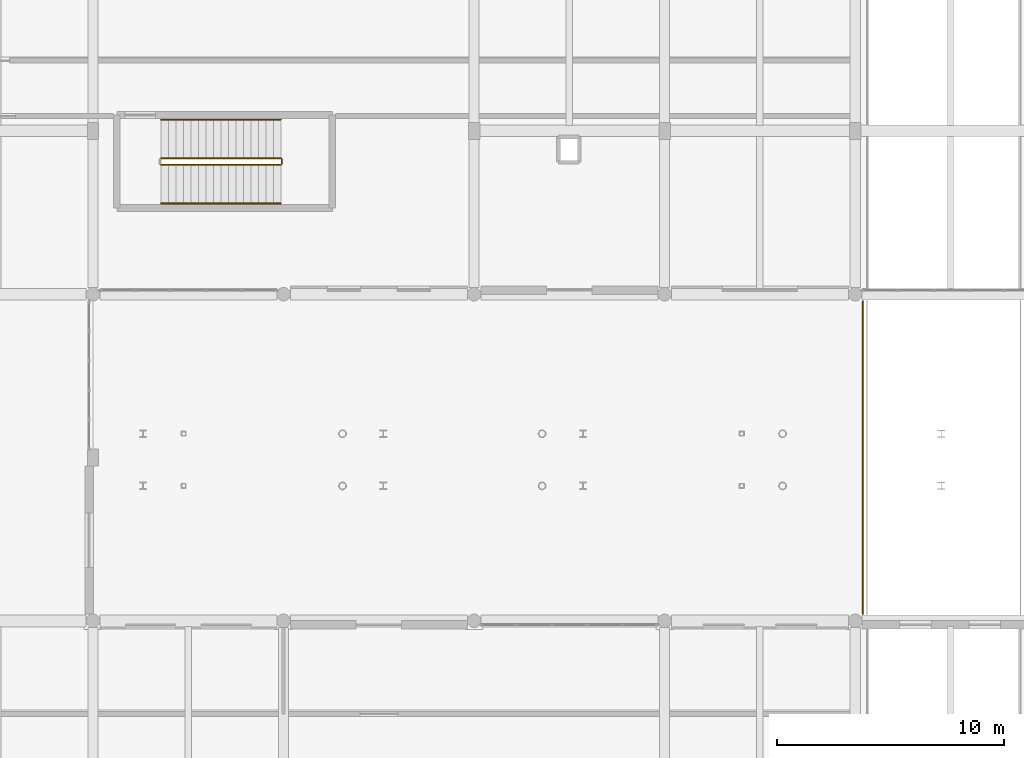
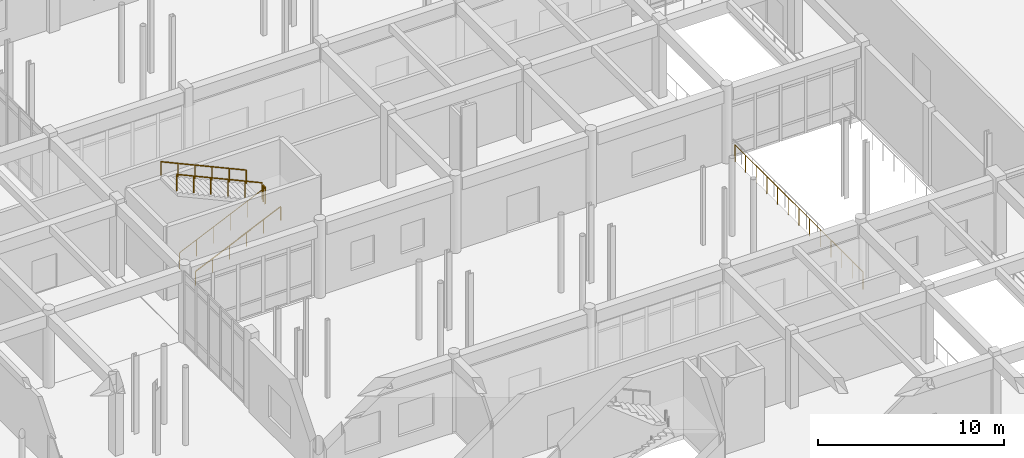
# One storey, part 106 of 121: 6 railings.
"""IFC4 building model written with IfcOpenShell, lengths in metres."""

from ifc_helpers import new_model, si_unit, direction, frame, origin, origin_2d, place, context, subcontext, project, spatial, circle, extrude, material, layer, layer_set, type_object, element, save


model = new_model("IFC4")

# Units and contexts
model_context = context("Model", 3, precision=1e-05, world=origin(), true_north=direction((0.0, 1.0)))
body_context = subcontext(model_context, "Body", "Model", "MODEL_VIEW")
ifc_project = project(units=[si_unit("LENGTHUNIT", "METRE"), si_unit("AREAUNIT", "SQUARE_METRE"), si_unit("VOLUMEUNIT", "CUBIC_METRE"), si_unit("PLANEANGLEUNIT", "RADIAN"), si_unit("MASSUNIT", "GRAM", prefix="KILO")], contexts=[model_context])

# Site, building, storey
site_placement = place(None, origin())
site = spatial("IfcSite", under=ifc_project, at=site_placement, CompositionType="ELEMENT")
building_placement = place(site_placement, origin())
building = spatial("IfcBuilding", under=site, at=building_placement, Name="Malvenik Polytechnic", CompositionType="ELEMENT")
storey_placement = place(building_placement, origin())
storey = spatial("IfcBuildingStorey", under=building, at=storey_placement, Name="L00", CompositionType="ELEMENT", Elevation=0.0)

# Railings
ifc_material_1 = material(Name="Galvanised powder-coated steel and laminated glass guard 1150mm", Category="steel")
ifc_layer_1 = layer(ifc_material_1, 0.070068359375)
ifc_layer_set_1 = layer_set([ifc_layer_1], Name="Galvanised powder-coated steel and laminated glass guard 1150mm")
railing_type_1 = type_object("IfcRailingType", Name="ARC-RL-BAL-1150", PredefinedType="BALUSTRADE", material=ifc_layer_set_1)
railing_1_placement = place(storey_placement, frame((126.340087890625, 50.080078125, 0.0)))
element("IfcRailing", 1, at=railing_1_placement, inside=storey, type_object=railing_type_1, Name="Terrace Perimeter Balustrade L00 #3", PredefinedType="BALUSTRADE", context=body_context, shape_type="SweptSolid", body=[
    extrude(circle(Radius=0.02392578125, at=origin_2d()), frame((0.0, 0.0, 1.1259765625), z_axis=(0.0, -1.0, 0.0), x_axis=(1.0, 0.0, 0.0)), (0.0, 0.0, 1.0), 13.760009765625),
    extrude(circle(Radius=0.02099609375, at=origin_2d()), origin(), (0.0, 0.0, 1.0), 1.101806640625),
    extrude(circle(Radius=0.02099609375, at=origin_2d()), frame((0.0, -1.146728515625, 0.0)), (0.0, 0.0, 1.0), 1.101806640625),
    extrude(circle(Radius=0.02099609375, at=origin_2d()), frame((0.0, -2.29345703125, 0.0)), (0.0, 0.0, 1.0), 1.101806640625),
    extrude(circle(Radius=0.02099609375, at=origin_2d()), frame((0.0, -3.43994140625, 0.0)), (0.0, 0.0, 1.0), 1.101806640625),
    extrude(circle(Radius=0.02099609375, at=origin_2d()), frame((0.0, -4.586669921875, 0.0)), (0.0, 0.0, 1.0), 1.101806640625),
    extrude(circle(Radius=0.02099609375, at=origin_2d()), frame((0.0, -5.7333984375, 0.0)), (0.0, 0.0, 1.0), 1.101806640625),
    extrude(circle(Radius=0.02099609375, at=origin_2d()), frame((0.0, -6.8798828125, 0.0)), (0.0, 0.0, 1.0), 1.101806640625),
    extrude(circle(Radius=0.02099609375, at=origin_2d()), frame((0.0, -8.026611328125, 0.0)), (0.0, 0.0, 1.0), 1.101806640625),
    extrude(circle(Radius=0.02099609375, at=origin_2d()), frame((0.0, -9.17333984375, 0.0)), (0.0, 0.0, 1.0), 1.101806640625),
    extrude(circle(Radius=0.02099609375, at=origin_2d()), frame((0.0, -10.320068359375, 0.0)), (0.0, 0.0, 1.0), 1.101806640625),
    extrude(circle(Radius=0.02099609375, at=origin_2d()), frame((0.0, -11.466796875, 0.0)), (0.0, 0.0, 1.0), 1.101806640625),
    extrude(circle(Radius=0.02099609375, at=origin_2d()), frame((0.0, -12.61328125, 0.0)), (0.0, 0.0, 1.0), 1.101806640625),
    extrude(circle(Radius=0.02099609375, at=origin_2d()), frame((0.0, -13.760009765625, 0.0)), (0.0, 0.0, 1.0), 1.101806640625),
])
ifc_material_2 = material(Name="Painted galvanised steel stair well balustrade 1100mm", Category="steel")
ifc_layer_2 = layer(ifc_material_2, 0.050048828125)
ifc_layer_set_2 = layer_set([ifc_layer_2], Name="Painted galvanised steel stair well balustrade 1100mm")
railing_type_2 = type_object("IfcRailingType", Name="ARC-RL-STGD", PredefinedType="BALUSTRADE", material=ifc_layer_set_2)
railing_2_placement = place(storey_placement, frame((95.39990234375, 56.10009765625, 0.14990234375)))
element("IfcRailing", 2, at=railing_2_placement, inside=storey, type_object=railing_type_2, Name="L00 ST-07 stair guard 1", PredefinedType="BALUSTRADE", context=body_context, shape_type="SweptSolid", body=[
    extrude(circle(Radius=0.02392578125, at=origin_2d()), frame((0.0, 0.0, 1.076171875), z_axis=(0.910357827898, 0.0, 0.413821972815), x_axis=(0.0, 1.0, 0.0)), (0.0, 0.0, 1.0), 5.800048828125),
    extrude(circle(Radius=0.02099609375, at=origin_2d()), origin(), (0.0, 0.0, 1.0), 1.052001953125),
    extrude(circle(Radius=0.02099609375, at=origin_2d()), frame((1.055908203125, 0.0, 0.47998046875)), (0.0, 0.0, 1.0), 1.052001953125),
    extrude(circle(Radius=0.02099609375, at=origin_2d()), frame((2.112060546875, 0.0, 0.9599609375)), (0.0, 0.0, 1.0), 1.052001953125),
    extrude(circle(Radius=0.02099609375, at=origin_2d()), frame((3.16796875, 0.0, 1.440185546875)), (0.0, 0.0, 1.0), 1.052001953125),
    extrude(circle(Radius=0.02099609375, at=origin_2d()), frame((4.22412109375, 0.0, 1.920166015625)), (0.0, 0.0, 1.0), 1.052001953125),
    extrude(circle(Radius=0.02099609375, at=origin_2d()), frame((5.280029296875, 0.0, 2.400146484375)), (0.0, 0.0, 1.0), 1.052001953125),
])
railing_3_placement = place(storey_placement, frame((100.72998046875, 56.14990234375, 2.550048828125)))
element("IfcRailing", 3, at=railing_3_placement, inside=storey, type_object=railing_type_2, Name="L00 ST-07 stair guard 2", PredefinedType="BALUSTRADE", context=body_context, shape_type="SweptSolid", body=[
    extrude(circle(Radius=0.02392578125, at=origin_2d()), frame((0.0, 0.0, 1.076171875), z_axis=(0.0, 1.0, 0.0), x_axis=(-1.0, 0.0, 0.0)), (0.0, 0.0, 1.0), 0.2001953125),
    extrude(circle(Radius=0.02099609375, at=origin_2d()), origin(), (0.0, 0.0, 1.0), 1.052001953125),
    extrude(circle(Radius=0.02099609375, at=origin_2d()), frame((0.0, 0.2001953125, 0.0)), (0.0, 0.0, 1.0), 1.052001953125),
])
railing_4_placement = place(storey_placement, frame((100.679931640625, 56.39990234375, 2.699951171875)))
element("IfcRailing", 4, at=railing_4_placement, inside=storey, type_object=railing_type_2, Name="L00 ST-07 stair guard 3", PredefinedType="BALUSTRADE", context=body_context, shape_type="SweptSolid", body=[
    extrude(circle(Radius=0.02392578125, at=origin_2d()), frame((0.0, 0.0, 1.076171875), z_axis=(-0.910357827898, 0.0, 0.413821972815), x_axis=(0.0, -1.0, 0.0)), (0.0, 0.0, 1.0), 5.800048828125),
    extrude(circle(Radius=0.02099609375, at=origin_2d()), origin(), (0.0, 0.0, 1.0), 1.052001953125),
    extrude(circle(Radius=0.02099609375, at=origin_2d()), frame((-1.055908203125, 0.0, 0.47998046875)), (0.0, 0.0, 1.0), 1.052001953125),
    extrude(circle(Radius=0.02099609375, at=origin_2d()), frame((-2.112060546875, 0.0, 0.9599609375)), (0.0, 0.0, 1.0), 1.052001953125),
    extrude(circle(Radius=0.02099609375, at=origin_2d()), frame((-3.16796875, 0.0, 1.440185546875)), (0.0, 0.0, 1.0), 1.052001953125),
    extrude(circle(Radius=0.02099609375, at=origin_2d()), frame((-4.22412109375, 0.0, 1.920166015625)), (0.0, 0.0, 1.0), 1.052001953125),
    extrude(circle(Radius=0.02099609375, at=origin_2d()), frame((-5.280029296875, 0.0, 2.400146484375)), (0.0, 0.0, 1.0), 1.052001953125),
])
ifc_material_3 = material(Name="Brushed stainless steel 1.4301 stair wall handrail", Category="steel")
ifc_layer_3 = layer(ifc_material_3, 0.044921875)
ifc_layer_set_3 = layer_set([ifc_layer_3], Name="Brushed stainless steel 1.4301 stair wall handrail")
railing_type_3 = type_object("IfcRailingType", Name="ARC-RL-STHR", PredefinedType="HANDRAIL", material=ifc_layer_set_3)
railing_5_placement = place(storey_placement, frame((95.39990234375, 54.39990234375, 0.14990234375)))
element("IfcRailing", 5, at=railing_5_placement, inside=storey, type_object=railing_type_3, Name="L00 ST-07 stair handrail 1", PredefinedType="HANDRAIL", context=body_context, shape_type="SweptSolid", body=[
    extrude(circle(Radius=0.02392578125, at=origin_2d()), frame((0.0, 0.0, 0.8759765625), z_axis=(0.910357827898, 0.0, 0.413821972815), x_axis=(0.0, 1.0, 0.0)), (0.0, 0.0, 1.0), 5.800048828125),
    extrude(circle(Radius=0.02099609375, at=origin_2d()), origin(), (0.0, 0.0, 1.0), 0.851806640625),
    extrude(circle(Radius=0.02099609375, at=origin_2d()), frame((1.055908203125, 0.0, 0.47998046875)), (0.0, 0.0, 1.0), 0.851806640625),
    extrude(circle(Radius=0.02099609375, at=origin_2d()), frame((2.112060546875, 0.0, 0.9599609375)), (0.0, 0.0, 1.0), 0.851806640625),
    extrude(circle(Radius=0.02099609375, at=origin_2d()), frame((3.16796875, 0.0, 1.440185546875)), (0.0, 0.0, 1.0), 0.851806640625),
    extrude(circle(Radius=0.02099609375, at=origin_2d()), frame((4.22412109375, 0.0, 1.920166015625)), (0.0, 0.0, 1.0), 0.851806640625),
    extrude(circle(Radius=0.02099609375, at=origin_2d()), frame((5.280029296875, 0.0, 2.400146484375)), (0.0, 0.0, 1.0), 0.851806640625),
])
railing_6_placement = place(storey_placement, frame((100.679931640625, 58.10009765625, 2.699951171875)))
element("IfcRailing", 6, at=railing_6_placement, inside=storey, type_object=railing_type_3, Name="L00 ST-07 stair handrail 2", PredefinedType="HANDRAIL", context=body_context, shape_type="SweptSolid", body=[
    extrude(circle(Radius=0.02392578125, at=origin_2d()), frame((0.0, 0.0, 0.8759765625), z_axis=(-0.910357827898, 0.0, 0.413821972815), x_axis=(0.0, -1.0, 0.0)), (0.0, 0.0, 1.0), 5.800048828125),
    extrude(circle(Radius=0.02099609375, at=origin_2d()), origin(), (0.0, 0.0, 1.0), 0.851806640625),
    extrude(circle(Radius=0.02099609375, at=origin_2d()), frame((-1.055908203125, 0.0, 0.47998046875)), (0.0, 0.0, 1.0), 0.851806640625),
    extrude(circle(Radius=0.02099609375, at=origin_2d()), frame((-2.112060546875, 0.0, 0.9599609375)), (0.0, 0.0, 1.0), 0.851806640625),
    extrude(circle(Radius=0.02099609375, at=origin_2d()), frame((-3.16796875, 0.0, 1.440185546875)), (0.0, 0.0, 1.0), 0.851806640625),
    extrude(circle(Radius=0.02099609375, at=origin_2d()), frame((-4.22412109375, 0.0, 1.920166015625)), (0.0, 0.0, 1.0), 0.851806640625),
    extrude(circle(Radius=0.02099609375, at=origin_2d()), frame((-5.280029296875, 0.0, 2.400146484375)), (0.0, 0.0, 1.0), 0.851806640625),
])

save(model, "model.ifc")
